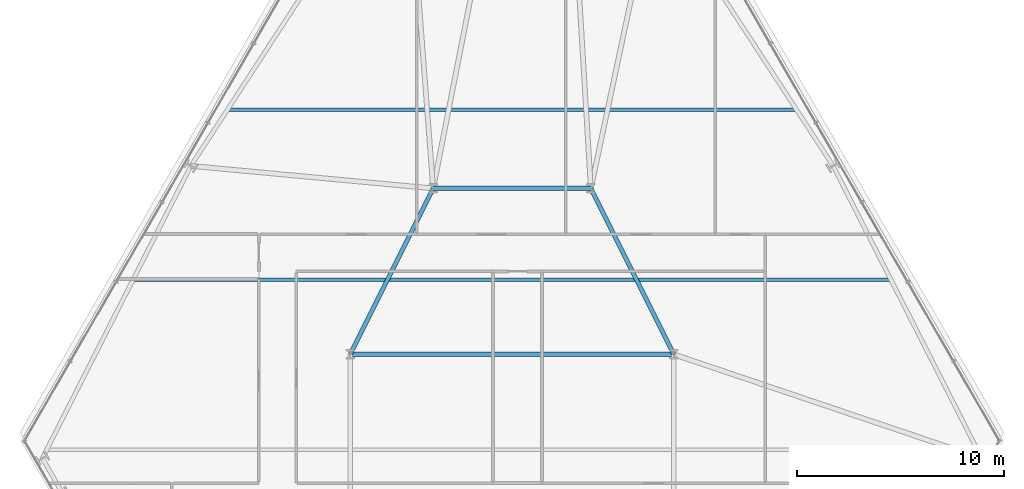
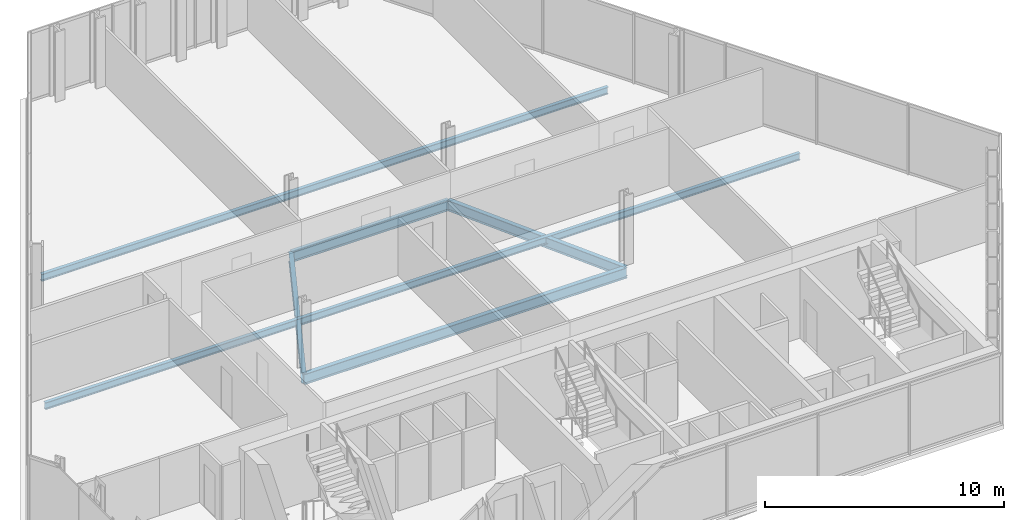
# One storey, part 13 of 32: 6 beams.
"""IFC4 building model written with IfcOpenShell, lengths in metres."""

from ifc_helpers import new_model, si_unit, direction, frame, origin, origin_2d, place, context, subcontext, project, spatial, i_section, extrude, material, material_profile, profile_set, type_object, element, save


model = new_model("IFC4")

# Units and contexts
model_context = context("Model", 3, precision=1e-05, world=origin(), true_north=direction((0.0, 1.0)))
body_context = subcontext(model_context, "Body", "Model", "MODEL_VIEW")
ifc_project = project(units=[si_unit("LENGTHUNIT", "METRE"), si_unit("AREAUNIT", "SQUARE_METRE"), si_unit("VOLUMEUNIT", "CUBIC_METRE"), si_unit("PLANEANGLEUNIT", "RADIAN"), si_unit("MASSUNIT", "GRAM", prefix="KILO")], contexts=[model_context])

# Site, building, storey
site_placement = place(None, origin())
site = spatial("IfcSite", under=ifc_project, at=site_placement, CompositionType="ELEMENT")
building_placement = place(site_placement, origin())
building = spatial("IfcBuilding", under=site, at=building_placement, Name="Ndaravel Arena Tower", CompositionType="ELEMENT")
storey_placement = place(building_placement, frame((0.0, 0.0, 47.39990234375)))
storey = spatial("IfcBuildingStorey", under=building, at=storey_placement, Name="L09", CompositionType="ELEMENT", Elevation=47.39990234375)

# Beams
ifc_material_1 = material(Name="Steel S355", Category="steel")
ifc_material_profile_1 = material_profile(ifc_material_1, i_section(OverallWidth=0.210693359375, OverallDepth=0.53955078125, WebThickness=0.01171875, FlangeThickness=0.018798828125, FilletRadius=0.0126953125, at=origin_2d()), Name="UB 533x210x109")
ifc_profile_set_1 = profile_set([ifc_material_profile_1], Name="Steel S355")
beam_type_1 = type_object("IfcBeamType", Name="BM-GIRD-UB533", PredefinedType="BEAM", material=ifc_profile_set_1)
beam_1_placement = place(storey_placement, frame((34.199951171875, 23.199951171875, -0.48974609375), z_axis=(1.0, 0.0, 0.0), x_axis=(0.0, 1.0, 0.0)))
element("IfcBeam", 1, at=beam_1_placement, inside=storey, type_object=beam_type_1, Name="L09 Spine Link Girder SLG-03", PredefinedType="BEAM", context=body_context, shape_type="SweptSolid", body=[
    extrude(i_section(OverallWidth=0.210693359375, OverallDepth=0.53955078125, WebThickness=0.01171875, FlangeThickness=0.018798828125, FilletRadius=0.0126953125, at=origin_2d()), origin(), (0.0, 0.0, 1.0), 15.60009765625),
])
for number, where, z_axis, x_axis, name in (
    (2, (34.199951171875, 23.199951171875, -0.48974609375), (0.4472135955, 0.894427191, 0.0), (-0.894427191, 0.4472135955, 0.0), "L09 Spine Link Girder SLG-04"),
    (3, (49.800048828125, 23.199951171875, -0.48974609375), (-0.4472135955, 0.894427191, 0.0), (-0.894427191, -0.4472135955, 0.0), "L09 Spine Link Girder SLG-05"),
):
    element("IfcBeam", number, at=place(storey_placement, frame(where, z_axis=z_axis, x_axis=x_axis)), inside=storey, type_object=beam_type_1, Name=name, PredefinedType="BEAM", context=body_context, shape_type="SweptSolid", body=[
        extrude(i_section(OverallWidth=0.210693359375, OverallDepth=0.53955078125, WebThickness=0.01171875, FlangeThickness=0.018798828125, FilletRadius=0.0126953125, at=origin_2d()), origin(), (0.0, 0.0, 1.0), 8.9443359375),
    ])
beam_2_placement = place(storey_placement, frame((38.199951171875, 31.199951171875, -0.48974609375), z_axis=(1.0, 0.0, 0.0), x_axis=(0.0, 1.0, 0.0)))
element("IfcBeam", 4, at=beam_2_placement, inside=storey, type_object=beam_type_1, Name="L09 Spine Link Girder SLG-06", PredefinedType="BEAM", context=body_context, shape_type="SweptSolid", body=[
    extrude(i_section(OverallWidth=0.210693359375, OverallDepth=0.53955078125, WebThickness=0.01171875, FlangeThickness=0.018798828125, FilletRadius=0.0126953125, at=origin_2d()), origin(), (0.0, 0.0, 1.0), 7.60009765625),
])
ifc_material_2 = material(Name="Steel S355", Category="steel")
ifc_material_profile_2 = material_profile(ifc_material_2, i_section(OverallWidth=0.169921875, OverallDepth=0.360107421875, WebThickness=0.008056640625, FlangeThickness=0.0126953125, FilletRadius=0.01806640625, at=origin_2d()), Name="IPE 360")
ifc_profile_set_2 = profile_set([ifc_material_profile_2], Name="Steel S355")
beam_type_2 = type_object("IfcBeamType", Name="BM-JOIST-IPE360", PredefinedType="JOIST", material=ifc_profile_set_2)
beam_3_placement = place(storey_placement, frame((23.73779296875, 26.800048828125, -0.39990234375), z_axis=(1.0, 0.0, 0.0), x_axis=(0.0, 1.0, 0.0)))
element("IfcBeam", 5, at=beam_3_placement, inside=storey, type_object=beam_type_2, Name="L09 Composite Floor Joist FJ-02", PredefinedType="JOIST", context=body_context, shape_type="SweptSolid", body=[
    extrude(i_section(OverallWidth=0.169921875, OverallDepth=0.360107421875, WebThickness=0.008056640625, FlangeThickness=0.0126953125, FilletRadius=0.01806640625, at=origin_2d()), origin(), (0.0, 0.0, 1.0), 36.5244140625),
])
beam_4_placement = place(storey_placement, frame((28.29150390625, 35.0, -0.39990234375), z_axis=(1.0, 0.0, 0.0), x_axis=(0.0, 1.0, 0.0)))
element("IfcBeam", 6, at=beam_4_placement, inside=storey, type_object=beam_type_2, Name="L09 Composite Floor Joist FJ-03", PredefinedType="JOIST", context=body_context, shape_type="SweptSolid", body=[
    extrude(i_section(OverallWidth=0.169921875, OverallDepth=0.360107421875, WebThickness=0.008056640625, FlangeThickness=0.0126953125, FilletRadius=0.01806640625, at=origin_2d()), origin(), (0.0, 0.0, 1.0), 27.4169921875),
])

save(model, "model.ifc")
